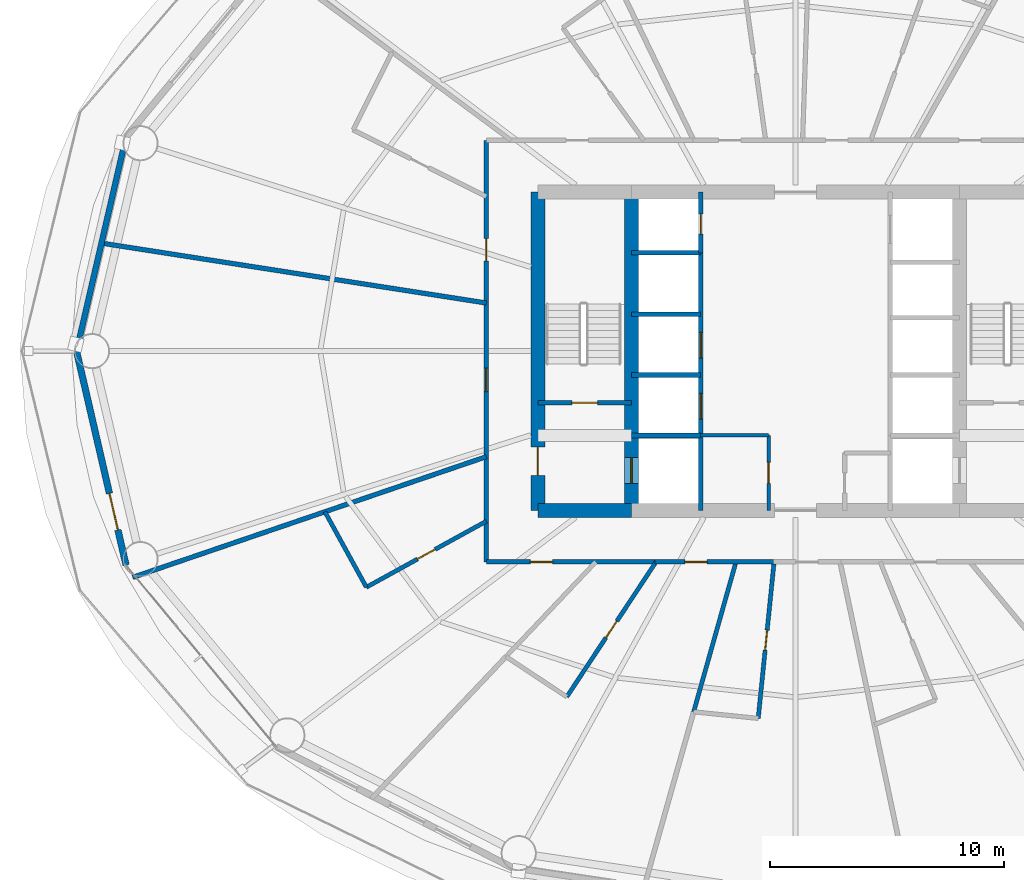
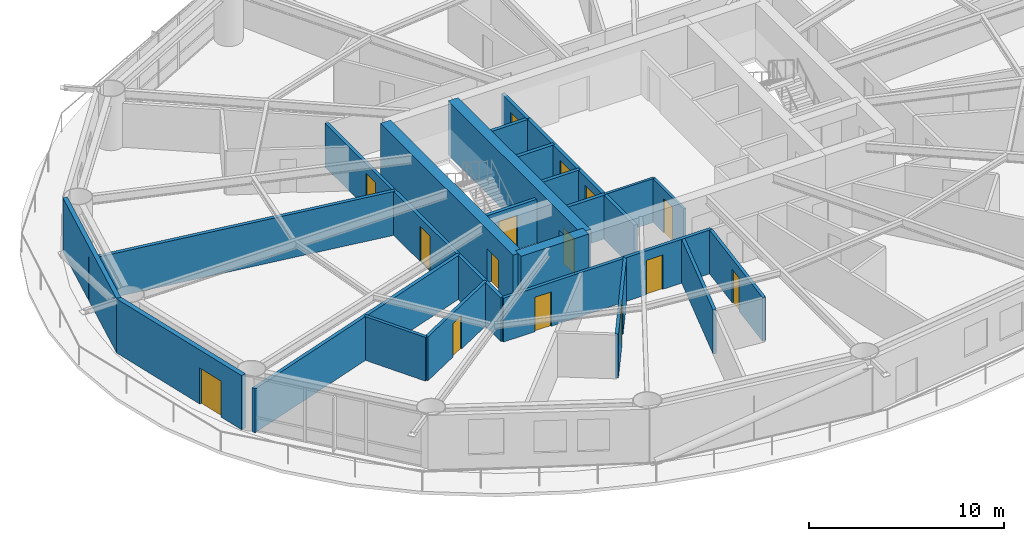
# One storey, part 22 of 28: 25 walls, 15 doors, 15 openings.
"""IFC4 building model written with IfcOpenShell, lengths in metres."""

import ifcopenshell
import ifcopenshell.guid

model = None  # the IFC model being written
_history = None  # IfcOwnerHistory: only IFC2X3 demands one
_inside = {}  # id of a spatial element -> (the spatial element, [elements in it])
_under = {}  # id of a project, library or spatial element -> (it, [spatial elements below it])
_declared = {}  # id of a project -> (the project, [libraries it declares])
_typed = {}  # id of a type object -> (the type object, [elements of that type])
_made_of = {}  # id of a material, layer set ... -> (it, [elements and type objects made of it])


def new_model(schema):
    """Start an empty IFC model of exactly this schema.

    Asked for "IFC4X3", IfcOpenShell would pick the latest addendum, in which some entities
    have other attributes; the version numbers below select the first issue.
    IFC2X3 requires an IfcOwnerHistory on every rooted entity: one is made here for all.
    """
    global model, _history
    if schema == "IFC4X3":
        model = ifcopenshell.file(schema_version=(4, 3, 0, 0))
    else:
        model = ifcopenshell.file(schema=schema)
    _inside.clear()
    _under.clear()
    _declared.clear()
    _typed.clear()
    _made_of.clear()
    _history = None
    if model.schema == "IFC2X3":
        org = make("IfcOrganization", Name="unknown")
        user = make(
            "IfcPersonAndOrganization",
            ThePerson=make("IfcPerson", FamilyName="unknown"),
            TheOrganization=org,
        )
        app = make(
            "IfcApplication",
            ApplicationDeveloper=org,
            Version="unknown",
            ApplicationFullName="unknown",
            ApplicationIdentifier="unknown",
        )
        _history = make(
            "IfcOwnerHistory",
            OwningUser=user,
            OwningApplication=app,
            ChangeAction="ADDED",
            CreationDate=0,
        )
    return model


def make(cls, **values):
    """One entity of the class cls with the attributes given. An attribute that is None is left unset."""
    return model.create_entity(
        cls, **{name: value for name, value in values.items() if value is not None}
    )


def rooted(cls, **values):
    """An entity with a GlobalId (a new one), such as an element, a storey or a relation."""
    return make(cls, GlobalId=ifcopenshell.guid.new(), OwnerHistory=_history, **values)


def si_unit(unit_type, name, prefix=None):
    """IfcSIUnit, for example si_unit("LENGTHUNIT", "METRE", prefix="MILLI")."""
    return make("IfcSIUnit", UnitType=unit_type, Prefix=prefix, Name=name)


def assignment(units):
    """IfcUnitAssignment: the units of a project."""
    return None if units is None else make("IfcUnitAssignment", Units=units)


def point(xyz):
    """IfcCartesianPoint."""
    return None if xyz is None else make("IfcCartesianPoint", Coordinates=xyz)


def direction(xyz):
    """IfcDirection."""
    return None if xyz is None else make("IfcDirection", DirectionRatios=xyz)


def frame(location, z_axis=None, x_axis=None):
    """IfcAxis2Placement3D, a coordinate frame: its origin and axes. An axis left out is left unset."""
    return make(
        "IfcAxis2Placement3D",
        Location=point(location),
        Axis=direction(z_axis),
        RefDirection=direction(x_axis),
    )


def frame_2d(location, x_axis=None):
    """IfcAxis2Placement2D, a coordinate frame in the plane: its origin and x axis."""
    return make(
        "IfcAxis2Placement2D", Location=point(location), RefDirection=direction(x_axis)
    )


def origin():
    """The frame at (0, 0, 0) with its axes left unset."""
    return frame((0.0, 0.0, 0.0))


def place(relative_to, where):
    """IfcLocalPlacement: puts the frame where relative to a parent placement (None: the world)."""
    return make(
        "IfcLocalPlacement", PlacementRelTo=relative_to, RelativePlacement=where
    )


def context(
    kind, dimensions, precision=None, world=None, true_north=None, identifier=None
):
    """IfcGeometricRepresentationContext, for example the 3D "Model" context."""
    return make(
        "IfcGeometricRepresentationContext",
        ContextIdentifier=identifier,
        ContextType=kind,
        CoordinateSpaceDimension=dimensions,
        Precision=precision,
        WorldCoordinateSystem=world,
        TrueNorth=true_north,
    )


def subcontext(parent, identifier, kind, view, scale=None):
    """IfcGeometricRepresentationSubContext, for example "Body" below "Model"."""
    return make(
        "IfcGeometricRepresentationSubContext",
        ContextIdentifier=identifier,
        ContextType=kind,
        ParentContext=parent,
        TargetScale=scale,
        TargetView=view,
    )


def project(units=None, contexts=None):
    """IfcProject with its units and contexts."""
    return rooted(
        "IfcProject",
        Name="project",
        RepresentationContexts=contexts,
        UnitsInContext=assignment(units),
    )


def spatial(cls, under=None, at=None, **own):
    """A site, building, storey or space (cls), placed at a placement, below another one or the project."""
    s = rooted(cls, ObjectPlacement=at, **own)
    if under is not None:
        _under.setdefault(under.id(), (under, []))[1].append(s)
    return s


def profile(cls, at=None, kind="AREA", **sizes):
    """A parametric profile (cls). Its sizes go by their IFC names, for example OverallWidth=200.0."""
    return make(cls, ProfileType=kind, Position=at, **sizes)


def rectangle(**sizes):
    """IfcRectangleProfileDef."""
    return profile("IfcRectangleProfileDef", **sizes)


def extrude(swept, where, along, depth):
    """IfcExtrudedAreaSolid: the profile swept, set in the frame where, extruded along a direction by depth."""
    return make(
        "IfcExtrudedAreaSolid",
        SweptArea=swept,
        Position=where,
        ExtrudedDirection=direction(along),
        Depth=depth,
    )


def shape(context_of_items, identifier, shape_type, items):
    """IfcShapeRepresentation: the items that make up one representation, for example the "Body"."""
    return make(
        "IfcShapeRepresentation",
        ContextOfItems=context_of_items,
        RepresentationIdentifier=identifier,
        RepresentationType=shape_type,
        Items=items,
    )


def material(Name=None, Category=None):
    """IfcMaterial."""
    return make("IfcMaterial", Name=Name, Category=Category)


def layer(
    of_material, thickness, ventilated=None, Name=None, Category=None, Priority=None
):
    """IfcMaterialLayer: one layer of a wall or slab, of a material (None: an air gap)."""
    return make(
        "IfcMaterialLayer",
        Material=of_material,
        LayerThickness=thickness,
        IsVentilated=ventilated,
        Name=Name,
        Category=Category,
        Priority=Priority,
    )


def layer_set(layers, Name=None):
    """IfcMaterialLayerSet."""
    return make("IfcMaterialLayerSet", MaterialLayers=layers, LayerSetName=Name)


def made_of(thing, what):
    """Note that an element or type object is made of a material, layer set ...; save() writes the relation."""
    if what is not None:
        _made_of.setdefault(what.id(), (what, []))[1].append(thing)
    return thing


def type_object(cls, material=None, **own):
    """A type object (cls), such as IfcWallType, which elements share."""
    return made_of(rooted(cls, **own), material)


def element(
    cls,
    number,
    at=None,
    inside=None,
    cuts=None,
    type_object=None,
    material=None,
    context=None,
    identifier="Body",
    shape_type=None,
    held_by="IfcProductDefinitionShape",
    body=None,
    shapes=None,
    **own,
):
    """One element of the class cls, such as IfcWall. Its Tag is "e" and its number.

    at: its placement. inside: the storey or other place that contains it. cuts: it is an
    opening in that element (IfcRelVoidsElement). A single representation is given by context,
    identifier, shape_type and body (its items); several are given by shapes. held_by: the class
    of the entity that holds the representations. save() writes the other relations.
    """
    e = rooted(cls, Tag="e%d" % number, ObjectPlacement=at, **own)
    if body is not None:
        shapes = [shape(context, identifier, shape_type, body)]
    if shapes is not None:
        e.Representation = make(held_by, Representations=shapes)
    if inside is not None:
        _inside.setdefault(inside.id(), (inside, []))[1].append(e)
    if cuts is not None:
        rooted(
            "IfcRelVoidsElement", RelatingBuildingElement=cuts, RelatedOpeningElement=e
        )
    if type_object is not None:
        _typed.setdefault(type_object.id(), (type_object, []))[1].append(e)
    return made_of(e, material)


def fill(opening, filler):
    """IfcRelFillsElement: the door or window that sits in an opening."""
    return rooted(
        "IfcRelFillsElement",
        RelatingOpeningElement=opening,
        RelatedBuildingElement=filler,
    )


def aggregate(whole, parts):
    """IfcRelAggregates: a whole, such as a stair, and the parts it consists of."""
    return rooted("IfcRelAggregates", RelatingObject=whole, RelatedObjects=parts)


def save(model, path):
    """Write the relations noted so far, then the file.

    IfcRelAggregates (storeys below a building ...), IfcRelContainedInSpatialStructure (elements
    in a storey), IfcRelDefinesByType, IfcRelAssociatesMaterial and IfcRelDeclares: one each for
    every whole, place, type object, material and project.
    """
    for whole, parts in _under.values():
        aggregate(whole, parts)
    for where, things in _inside.values():
        rooted(
            "IfcRelContainedInSpatialStructure",
            RelatedElements=things,
            RelatingStructure=where,
        )
    for kind, things in _typed.values():
        rooted("IfcRelDefinesByType", RelatedObjects=things, RelatingType=kind)
    for what, things in _made_of.values():
        rooted("IfcRelAssociatesMaterial", RelatedObjects=things, RelatingMaterial=what)
    for by, libraries in _declared.values():
        rooted("IfcRelDeclares", RelatingContext=by, RelatedDefinitions=libraries)
    model.write(path)


model = new_model("IFC4")

# Units and contexts
model_context = context("Model", 3, precision=1e-05, world=origin(), true_north=direction((0.0, 1.0)))
body_context = subcontext(model_context, "Body", "Model", "MODEL_VIEW")
ifc_project = project(units=[si_unit("LENGTHUNIT", "METRE"), si_unit("AREAUNIT", "SQUARE_METRE"), si_unit("VOLUMEUNIT", "CUBIC_METRE"), si_unit("PLANEANGLEUNIT", "RADIAN"), si_unit("MASSUNIT", "GRAM", prefix="KILO")], contexts=[model_context])

# Site, building, storey
site_placement = place(None, origin())
site = spatial("IfcSite", under=ifc_project, at=site_placement, CompositionType="ELEMENT")
building_placement = place(site_placement, origin())
building = spatial("IfcBuilding", under=site, at=building_placement, Name="Sarneth Arch Tower", CompositionType="ELEMENT")
storey_placement = place(building_placement, frame((0.0, 0.0, 31.800048828125)))
storey = spatial("IfcBuildingStorey", under=building, at=storey_placement, Name="L06", CompositionType="ELEMENT", Elevation=31.800048828125)

# Wall
ifc_material_1 = material(Name="Concrete C60/75", Category="concrete")
ifc_layer_1 = layer(ifc_material_1, 0.60009765625)
ifc_layer_set_1 = layer_set([ifc_layer_1], Name="Concrete C60/75")
wall_type_1 = type_object("IfcWallType", Name="WALL-CORE-600", PredefinedType="SHEAR", material=ifc_layer_set_1)
wall_1_placement = place(storey_placement, frame((37.0, 35.199951171875, 0.0), z_axis=(0.0, 0.0, 1.0), x_axis=(1.0, 0.0, 0.0)))
element("IfcWall", 1, at=wall_1_placement, inside=storey, type_object=wall_type_1, Name="L06 Core shear wall S-W", PredefinedType="SHEAR", context=body_context, shape_type="SweptSolid", body=[
    extrude(rectangle(XDim=4.0, YDim=0.60009765625, at=frame_2d((2.0, 0.0))), origin(), (0.0, 0.0, 1.0), 3.3798828125),
])

# Wall, opening, door
wall_2_placement = place(storey_placement, frame((37.0, 35.199951171875, 0.0), z_axis=(0.0, 0.0, 1.0), x_axis=(0.0, 1.0, 0.0)))
wall_2 = element("IfcWall", 2, at=wall_2_placement, inside=storey, type_object=wall_type_1, Name="L06 Core shear wall W", PredefinedType="SHEAR", context=body_context, shape_type="SweptSolid", body=[
    extrude(rectangle(XDim=13.60009765625, YDim=0.60009765625, at=frame_2d((6.800048828125, 0.0))), origin(), (0.0, 0.0, 1.0), 3.3798828125),
])
opening_1_placement = place(wall_2_placement, frame((1.5, 0.0, 0.0)))
opening_1 = element("IfcOpeningElement", 3, at=opening_1_placement, cuts=wall_2, Name="Opening FD-02", PredefinedType="OPENING", context=body_context, shape_type="SweptSolid", body=[
    extrude(rectangle(XDim=1.199951171875, YDim=2.14990234375, at=frame_2d((0.60009765625, 1.074951171875))), frame((0.0, 0.31005859375, 0.0), z_axis=(0.0, -1.0, 0.0), x_axis=(1.0, 0.0, 0.0)), (0.0, 0.0, 1.0), 0.6201171875),
])
ifc_material_2 = material(Name="Galvanised Steel S275 fire door set", Category="steel")
door_type_1 = type_object("IfcDoorType", Name="DR-FD90-1200", OperationType="SINGLE_SWING_LEFT", PredefinedType="DOOR", material=ifc_material_2)
door_1_placement = place(opening_1_placement, origin())
door_1 = element("IfcDoor", 4, at=door_1_placement, inside=storey, type_object=door_type_1, Name="L06 Firefighting lobby 1 exit door", OperationType="SINGLE_SWING_LEFT", OverallHeight=2.14990234375, OverallWidth=1.199951171875, PredefinedType="DOOR", context=body_context, shape_type="SweptSolid", body=[
    extrude(rectangle(XDim=1.199951171875, YDim=2.14990234375, at=frame_2d((0.60009765625, 1.074951171875))), frame((0.0, 0.02490234375, 0.0), z_axis=(0.0, -1.0, 0.0), x_axis=(1.0, 0.0, 0.0)), (0.0, 0.0, 1.0), 0.050048828125),
])
fill(opening_1, door_1)

wall_3_placement = place(storey_placement, frame((41.0, 35.199951171875, 0.0), z_axis=(0.0, 0.0, 1.0), x_axis=(0.0, 1.0, 0.0)))
wall_3 = element("IfcWall", 5, at=wall_3_placement, inside=storey, type_object=wall_type_1, Name="L06 Core shear wall WEB-W", PredefinedType="SHEAR", context=body_context, shape_type="SweptSolid", body=[
    extrude(rectangle(XDim=13.60009765625, YDim=0.60009765625, at=frame_2d((6.800048828125, 0.0))), origin(), (0.0, 0.0, 1.0), 3.3798828125),
])
opening_2_placement = place(wall_3_placement, frame((1.14990234375, 0.0, 0.0)))
opening_2 = element("IfcOpeningElement", 6, at=opening_2_placement, cuts=wall_3, Name="Opening LD-1", PredefinedType="OPENING", context=body_context, shape_type="SweptSolid", body=[
    extrude(rectangle(XDim=1.10009765625, YDim=2.199951171875, at=frame_2d((0.550048828125, 1.10009765625))), frame((0.0, 0.31005859375, 0.0), z_axis=(0.0, -1.0, 0.0), x_axis=(1.0, 0.0, 0.0)), (0.0, 0.0, 1.0), 0.6201171875),
])
ifc_material_3 = material(Name="Brushed Stainless Steel 304 lift landing door", Category="steel")
door_type_2 = type_object("IfcDoorType", Name="DR-LIFT-SLIDE-1100", OperationType="SLIDING_TO_LEFT", PredefinedType="DOOR", material=ifc_material_3)
door_2_placement = place(opening_2_placement, origin())
door_2 = element("IfcDoor", 7, at=door_2_placement, inside=storey, type_object=door_type_2, Name="L06 Firefighting lift landing door FL-1", OperationType="SLIDING_TO_LEFT", OverallHeight=2.199951171875, OverallWidth=1.10009765625, PredefinedType="DOOR", context=body_context, shape_type="SweptSolid", body=[
    extrude(rectangle(XDim=1.10009765625, YDim=2.199951171875, at=frame_2d((0.550048828125, 1.10009765625))), frame((0.0, 0.02490234375, 0.0), z_axis=(0.0, -1.0, 0.0), x_axis=(1.0, 0.0, 0.0)), (0.0, 0.0, 1.0), 0.050048828125),
])
fill(opening_2, door_2)

# Wall, openings, doors
ifc_material_4 = material(Name="Double steel-stud corridor fire wall", Category="steel")
ifc_layer_2 = layer(ifc_material_4, 0.18994140625)
ifc_layer_set_2 = layer_set([ifc_layer_2], Name="Double steel-stud corridor fire wall")
wall_type_2 = type_object("IfcWallType", Name="WALL-CORR-190", PredefinedType="PARTITIONING", material=ifc_layer_set_2)
wall_4_placement = place(storey_placement, frame((34.800048828125, 33.0, 0.0), z_axis=(0.0, 0.0, 1.0), x_axis=(0.0, 1.0, 0.0)))
wall_4 = element("IfcWall", 8, at=wall_4_placement, inside=storey, type_object=wall_type_2, Name="L06 Interior partition W-L06-TP-014", PredefinedType="PARTITIONING", context=body_context, shape_type="SweptSolid", body=[
    extrude(rectangle(XDim=18.0, YDim=0.18994140625, at=frame_2d((9.0, 0.0))), origin(), (0.0, 0.0, 1.0), 2.739990234375),
])
opening_3_placement = place(wall_4_placement, frame((7.273681640625, 0.0, 0.0)))
opening_3 = element("IfcOpeningElement", 9, at=opening_3_placement, cuts=wall_4, Name="Opening FD-08", PredefinedType="OPENING", context=body_context, shape_type="SweptSolid", body=[
    extrude(rectangle(XDim=1.0, YDim=2.199951171875, at=frame_2d((0.5, 1.10009765625))), frame((0.0, 0.10498046875, 0.0), z_axis=(0.0, -1.0, 0.0), x_axis=(1.0, 0.0, 0.0)), (0.0, 0.0, 1.0), 0.2099609375),
])
opening_4_placement = place(wall_4_placement, frame((12.8544921875, 0.0, 0.0)))
opening_4 = element("IfcOpeningElement", 10, at=opening_4_placement, cuts=wall_4, Name="Opening FD-09", PredefinedType="OPENING", context=body_context, shape_type="SweptSolid", body=[
    extrude(rectangle(XDim=0.949951171875, YDim=2.14990234375, at=frame_2d((0.47509765625, 1.074951171875))), frame((0.0, 0.10498046875, 0.0), z_axis=(0.0, -1.0, 0.0), x_axis=(1.0, 0.0, 0.0)), (0.0, 0.0, 1.0), 0.2099609375),
])
ifc_material_5 = material(Name="Hardwood timber acoustic fire door", Category="wood")
door_type_3 = type_object("IfcDoorType", Name="DR-FD60-1000", OperationType="SINGLE_SWING_LEFT", PredefinedType="DOOR", material=ifc_material_5)
door_3_placement = place(opening_3_placement, origin())
door_3 = element("IfcDoor", 11, at=door_3_placement, inside=storey, type_object=door_type_3, Name="L06 Interior door DR-L06-AMN-07", OperationType="SINGLE_SWING_RIGHT", OverallHeight=2.199951171875, OverallWidth=1.0, PredefinedType="DOOR", context=body_context, shape_type="SweptSolid", body=[
    extrude(rectangle(XDim=1.0, YDim=2.199951171875, at=frame_2d((0.5, 1.10009765625))), frame((0.0, 0.02490234375, 0.0), z_axis=(0.0, -1.0, 0.0), x_axis=(1.0, 0.0, 0.0)), (0.0, 0.0, 1.0), 0.050048828125),
])
fill(opening_3, door_3)
ifc_material_6 = material(Name="Hardwood timber hotel entrance fire door", Category="wood")
door_type_4 = type_object("IfcDoorType", Name="DR-FD60-950", OperationType="SINGLE_SWING_RIGHT", PredefinedType="DOOR", material=ifc_material_6)
door_4_placement = place(opening_4_placement, origin())
door_4 = element("IfcDoor", 12, at=door_4_placement, inside=storey, type_object=door_type_4, Name="L06 Interior door DR-L06-KEY-06", OperationType="SINGLE_SWING_LEFT", OverallHeight=2.14990234375, OverallWidth=0.949951171875, PredefinedType="DOOR", context=body_context, shape_type="SweptSolid", body=[
    extrude(rectangle(XDim=0.949951171875, YDim=2.14990234375, at=frame_2d((0.47509765625, 1.074951171875))), frame((0.0, 0.02490234375, 0.0), z_axis=(0.0, -1.0, 0.0), x_axis=(1.0, 0.0, 0.0)), (0.0, 0.0, 1.0), 0.050048828125),
])
fill(opening_4, door_4)

# Wall, opening, door
wall_5_placement = place(storey_placement, frame((42.083251953125, 33.0, 0.0), z_axis=(0.0, 0.0, 1.0), x_axis=(-1.0, 0.0, 0.0)))
wall_5 = element("IfcWall", 13, at=wall_5_placement, inside=storey, type_object=wall_type_2, Name="L06 Interior partition W-L06-TP-015", PredefinedType="PARTITIONING", context=body_context, shape_type="SweptSolid", body=[
    extrude(rectangle(XDim=7.283203125, YDim=0.18994140625, at=frame_2d((3.6416015625, 0.0))), origin(), (0.0, 0.0, 1.0), 2.739990234375),
])
opening_5_placement = place(wall_5_placement, frame((4.45068359375, 0.0, 0.0)))
opening_5 = element("IfcOpeningElement", 14, at=opening_5_placement, cuts=wall_5, Name="Opening FD-09", PredefinedType="OPENING", context=body_context, shape_type="SweptSolid", body=[
    extrude(rectangle(XDim=0.949951171875, YDim=2.14990234375, at=frame_2d((0.47509765625, 1.074951171875))), frame((0.0, 0.10498046875, 0.0), z_axis=(0.0, -1.0, 0.0), x_axis=(1.0, 0.0, 0.0)), (0.0, 0.0, 1.0), 0.2099609375),
])
door_5_placement = place(opening_5_placement, origin())
door_5 = element("IfcDoor", 15, at=door_5_placement, inside=storey, type_object=door_type_4, Name="L06 Interior door DR-L06-KEY-08", OperationType="SINGLE_SWING_LEFT", OverallHeight=2.14990234375, OverallWidth=0.949951171875, PredefinedType="DOOR", context=body_context, shape_type="SweptSolid", body=[
    extrude(rectangle(XDim=0.949951171875, YDim=2.14990234375, at=frame_2d((0.47509765625, 1.074951171875))), frame((0.0, 0.02490234375, 0.0), z_axis=(0.0, -1.0, 0.0), x_axis=(1.0, 0.0, 0.0)), (0.0, 0.0, 1.0), 0.050048828125),
])
fill(opening_5, door_5)

wall_6_placement = place(storey_placement, frame((47.117919921875, 33.0, 0.0), z_axis=(0.0, 0.0, 1.0), x_axis=(-1.0, 0.0, 0.0)))
wall_6 = element("IfcWall", 16, at=wall_6_placement, inside=storey, type_object=wall_type_2, Name="L06 Interior partition W-L06-TP-018", PredefinedType="PARTITIONING", context=body_context, shape_type="SweptSolid", body=[
    extrude(rectangle(XDim=5.111572265625, YDim=0.18994140625, at=frame_2d((2.5556640625, 0.0))), origin(), (0.0, 0.0, 1.0), 2.739990234375),
])
opening_6_placement = place(wall_6_placement, frame((2.893798828125, 0.0, 0.0)))
opening_6 = element("IfcOpeningElement", 17, at=opening_6_placement, cuts=wall_6, Name="Opening FD-09", PredefinedType="OPENING", context=body_context, shape_type="SweptSolid", body=[
    extrude(rectangle(XDim=0.949951171875, YDim=2.14990234375, at=frame_2d((0.47509765625, 1.074951171875))), frame((0.0, 0.10498046875, 0.0), z_axis=(0.0, -1.0, 0.0), x_axis=(1.0, 0.0, 0.0)), (0.0, 0.0, 1.0), 0.2099609375),
])
door_6_placement = place(opening_6_placement, origin())
door_6 = element("IfcDoor", 18, at=door_6_placement, inside=storey, type_object=door_type_4, Name="L06 Interior door DR-L06-KEY-09", OperationType="SINGLE_SWING_RIGHT", OverallHeight=2.14990234375, OverallWidth=0.949951171875, PredefinedType="DOOR", context=body_context, shape_type="SweptSolid", body=[
    extrude(rectangle(XDim=0.949951171875, YDim=2.14990234375, at=frame_2d((0.47509765625, 1.074951171875))), frame((0.0, 0.02490234375, 0.0), z_axis=(0.0, -1.0, 0.0), x_axis=(1.0, 0.0, 0.0)), (0.0, 0.0, 1.0), 0.050048828125),
])
fill(opening_6, door_6)

# Wall
ifc_material_7 = material(Name="Extruded terracotta rainscreen on Concrete C40/50 backing", Category="masonry")
ifc_layer_3 = layer(ifc_material_7, 0.25)
ifc_layer_set_3 = layer_set([ifc_layer_3], Name="Extruded terracotta rainscreen on Concrete C40/50 backing")
wall_type_3 = type_object("IfcWallType", Name="WALL-EXT-SPAND-250", PredefinedType="SOLIDWALL", material=ifc_layer_set_3)
wall_7_placement = place(storey_placement, frame((19.4189453125, 51.138427734375, 0.0), z_axis=(0.0, 0.0, 1.0), x_axis=(-0.225454452941, -0.974253709076, 0.0)))
element("IfcWall", 19, at=wall_7_placement, inside=storey, type_object=wall_type_3, Name="L06 Terracotta perimeter wall 08", PredefinedType="SOLIDWALL", context=body_context, shape_type="SweptSolid", body=[
    extrude(rectangle(XDim=9.3798828125, YDim=0.25, at=frame_2d((4.68994140625, 0.0))), origin(), (0.0, 0.0, 1.0), 3.3798828125),
])

# Wall, opening, door
ifc_material_8 = material(Name="Extruded terracotta rainscreen on Concrete C40/50 backing", Category="masonry")
ifc_layer_4 = layer(ifc_material_8, 0.280029296875)
ifc_layer_set_4 = layer_set([ifc_layer_4], Name="Extruded terracotta rainscreen on Concrete C40/50 backing")
wall_type_4 = type_object("IfcWallType", Name="WALL-EXT-TERRA-280", PredefinedType="SOLIDWALL", material=ifc_layer_set_4)
wall_8_placement = place(storey_placement, frame((17.30419921875, 42.0, 0.0), z_axis=(0.0, 0.0, 1.0), x_axis=(0.225454452941, -0.974253709076, 0.0)))
wall_8 = element("IfcWall", 20, at=wall_8_placement, inside=storey, type_object=wall_type_4, Name="L06 Terracotta perimeter wall 09", PredefinedType="SOLIDWALL", context=body_context, shape_type="SweptSolid", body=[
    extrude(rectangle(XDim=9.3798828125, YDim=0.280029296875, at=frame_2d((4.68994140625, 0.0))), origin(), (0.0, 0.0, 1.0), 3.3798828125),
])
opening_7_placement = place(wall_8_placement, frame((6.235107421875, 0.0, 0.0)))
opening_7 = element("IfcOpeningElement", 21, at=opening_7_placement, cuts=wall_8, Name="Opening BD-1", PredefinedType="OPENING", context=body_context, shape_type="SweptSolid", body=[
    extrude(rectangle(XDim=1.60009765625, YDim=2.25, at=frame_2d((0.800048828125, 1.125))), frame((0.0, 0.14990234375, 0.0), z_axis=(0.0, -1.0, 0.0), x_axis=(1.0, 0.0, 0.0)), (0.0, 0.0, 1.0), 0.300048828125),
])
ifc_material_9 = material(Name="Thermally broken Aluminium 6063-T6 and laminated safety glass", Category="aluminium")
door_type_5 = type_object("IfcDoorType", Name="DR-BALC-GLZ-1600", OperationType="DOUBLE_DOOR_SINGLE_SWING", PredefinedType="DOOR", material=ifc_material_9)
door_7_placement = place(opening_7_placement, origin())
door_7 = element("IfcDoor", 22, at=door_7_placement, inside=storey, type_object=door_type_5, Name="L06 Balcony glazed door 09", OperationType="DOUBLE_DOOR_SINGLE_SWING", OverallHeight=2.25, OverallWidth=1.60009765625, PredefinedType="DOOR", context=body_context, shape_type="SweptSolid", body=[
    extrude(rectangle(XDim=1.60009765625, YDim=2.25, at=frame_2d((0.800048828125, 1.125))), frame((0.0, 0.02490234375, 0.0), z_axis=(0.0, -1.0, 0.0), x_axis=(1.0, 0.0, 0.0)), (0.0, 0.0, 1.0), 0.050048828125),
])
fill(opening_7, door_7)

# Wall
ifc_material_10 = material(Name="Acoustic gypsum stud partition", Category="gypsum")
ifc_layer_5 = layer(ifc_material_10, 0.14990234375)
ifc_layer_set_5 = layer_set([ifc_layer_5], Name="Acoustic gypsum stud partition")
wall_type_5 = type_object("IfcWallType", Name="WALL-PART-150", PredefinedType="PARTITIONING", material=ifc_layer_set_5)
wall_9_placement = place(storey_placement, frame((43.949951171875, 38.39990234375, 0.0), z_axis=(0.0, 0.0, 1.0), x_axis=(1.0, 0.0, 0.0)))
element("IfcWall", 23, at=wall_9_placement, inside=storey, type_object=wall_type_5, Name="L06 Interior partition W-L06-CSUP1-N", PredefinedType="PARTITIONING", context=body_context, shape_type="SweptSolid", body=[
    extrude(rectangle(XDim=2.900146484375, YDim=0.14990234375, at=frame_2d((1.4501953125, 0.0))), origin(), (0.0, 0.0, 1.0), 2.739990234375),
])

# Wall, opening, door
wall_10_placement = place(storey_placement, frame((46.85009765625, 35.199951171875, 0.0), z_axis=(0.0, 0.0, 1.0), x_axis=(0.0, 1.0, 0.0)))
wall_10 = element("IfcWall", 24, at=wall_10_placement, inside=storey, type_object=wall_type_5, Name="L06 Interior partition W-L06-CSUP1-E", PredefinedType="PARTITIONING", context=body_context, shape_type="SweptSolid", body=[
    extrude(rectangle(XDim=3.199951171875, YDim=0.14990234375, at=frame_2d((1.60009765625, 0.0))), origin(), (0.0, 0.0, 1.0), 2.739990234375),
])
opening_8_placement = place(wall_10_placement, frame((1.14990234375, 0.0, 0.0)))
opening_8 = element("IfcOpeningElement", 25, at=opening_8_placement, cuts=wall_10, Name="Opening FD-10", PredefinedType="OPENING", context=body_context, shape_type="SweptSolid", body=[
    extrude(rectangle(XDim=0.89990234375, YDim=2.14990234375, at=frame_2d((0.449951171875, 1.074951171875))), frame((0.0, 0.0849609375, 0.0), z_axis=(0.0, -1.0, 0.0), x_axis=(1.0, 0.0, 0.0)), (0.0, 0.0, 1.0), 0.169921875),
])
ifc_material_11 = material(Name="Galvanised Steel S275 riser/service fire door", Category="steel")
door_type_6 = type_object("IfcDoorType", Name="DR-FD60-900", OperationType="SINGLE_SWING_LEFT", PredefinedType="DOOR", material=ifc_material_11)
door_8_placement = place(opening_8_placement, origin())
door_8 = element("IfcDoor", 26, at=door_8_placement, inside=storey, type_object=door_type_6, Name="L06 Interior door DR-L06-CSUP1", OperationType="SINGLE_SWING_LEFT", OverallHeight=2.14990234375, OverallWidth=0.89990234375, PredefinedType="DOOR", context=body_context, shape_type="SweptSolid", body=[
    extrude(rectangle(XDim=0.89990234375, YDim=2.14990234375, at=frame_2d((0.449951171875, 1.074951171875))), frame((0.0, 0.02490234375, 0.0), z_axis=(0.0, -1.0, 0.0), x_axis=(1.0, 0.0, 0.0)), (0.0, 0.0, 1.0), 0.050048828125),
])
fill(opening_8, door_8)

ifc_material_12 = material(Name="Moisture-resistant plumbing chase wall", Category="gypsum")
ifc_layer_6 = layer(ifc_material_12, 0.179931640625)
ifc_layer_set_6 = layer_set([ifc_layer_6], Name="Moisture-resistant plumbing chase wall")
wall_type_6 = type_object("IfcWallType", Name="WALL-PLUMB-180", PredefinedType="PLUMBINGWALL", material=ifc_layer_set_6)
wall_11_placement = place(storey_placement, frame((42.044921875, 33.0, 0.0), z_axis=(0.0, 0.0, 1.0), x_axis=(-0.551832909025, -0.833954699319, 0.0)))
wall_11 = element("IfcWall", 27, at=wall_11_placement, inside=storey, type_object=wall_type_6, Name="L06 Interior partition W-L06-TP-057", PredefinedType="PLUMBINGWALL", context=body_context, shape_type="SweptSolid", body=[
    extrude(rectangle(XDim=6.90478515625, YDim=0.179931640625, at=frame_2d((3.452392578125, 0.0))), origin(), (0.0, 0.0, 1.0), 2.739990234375),
])
opening_9_placement = place(wall_11_placement, frame((3.02734375, 0.0, 0.0)))
opening_9 = element("IfcOpeningElement", 28, at=opening_9_placement, cuts=wall_11, Name="Opening ID-02", PredefinedType="OPENING", context=body_context, shape_type="SweptSolid", body=[
    extrude(rectangle(XDim=0.85009765625, YDim=2.10009765625, at=frame_2d((0.425048828125, 1.050048828125))), frame((0.0, 0.099853515625, 0.0), z_axis=(0.0, -1.0, 0.0), x_axis=(1.0, 0.0, 0.0)), (0.0, 0.0, 1.0), 0.199951171875),
])
ifc_material_13 = material(Name="Moisture-resistant bathroom timber door", Category="wood")
door_type_7 = type_object("IfcDoorType", Name="DR-INT-850", OperationType="SINGLE_SWING_RIGHT", PredefinedType="DOOR", material=ifc_material_13)
door_9_placement = place(opening_9_placement, origin())
door_9 = element("IfcDoor", 29, at=door_9_placement, inside=storey, type_object=door_type_7, Name="L06 Interior door DR-L06-ENS-09", OperationType="SINGLE_SWING_LEFT", OverallHeight=2.10009765625, OverallWidth=0.85009765625, PredefinedType="DOOR", context=body_context, shape_type="SweptSolid", body=[
    extrude(rectangle(XDim=0.85009765625, YDim=2.10009765625, at=frame_2d((0.425048828125, 1.050048828125))), frame((0.0, 0.02490234375, 0.0), z_axis=(0.0, -1.0, 0.0), x_axis=(1.0, 0.0, 0.0)), (0.0, 0.0, 1.0), 0.050048828125),
])
fill(opening_9, door_9)

wall_12_placement = place(storey_placement, frame((47.085693359375, 33.0, 0.0), z_axis=(0.0, 0.0, 1.0), x_axis=(-0.101019373019, -0.994884458756, 0.0)))
wall_12 = element("IfcWall", 30, at=wall_12_placement, inside=storey, type_object=wall_type_6, Name="L06 Interior partition W-L06-TP-061", PredefinedType="PLUMBINGWALL", context=body_context, shape_type="SweptSolid", body=[
    extrude(rectangle(XDim=6.7138671875, YDim=0.179931640625, at=frame_2d((3.35693359375, 0.0))), origin(), (0.0, 0.0, 1.0), 2.739990234375),
])
opening_10_placement = place(wall_12_placement, frame((2.931884765625, 0.0, 0.0)))
opening_10 = element("IfcOpeningElement", 31, at=opening_10_placement, cuts=wall_12, Name="Opening ID-02", PredefinedType="OPENING", context=body_context, shape_type="SweptSolid", body=[
    extrude(rectangle(XDim=0.85009765625, YDim=2.10009765625, at=frame_2d((0.425048828125, 1.050048828125))), frame((0.0, 0.099853515625, 0.0), z_axis=(0.0, -1.0, 0.0), x_axis=(1.0, 0.0, 0.0)), (0.0, 0.0, 1.0), 0.199951171875),
])
door_10_placement = place(opening_10_placement, origin())
door_10 = element("IfcDoor", 32, at=door_10_placement, inside=storey, type_object=door_type_7, Name="L06 Interior door DR-L06-ENS-10", OperationType="SINGLE_SWING_LEFT", OverallHeight=2.10009765625, OverallWidth=0.85009765625, PredefinedType="DOOR", context=body_context, shape_type="SweptSolid", body=[
    extrude(rectangle(XDim=0.85009765625, YDim=2.10009765625, at=frame_2d((0.425048828125, 1.050048828125))), frame((0.0, 0.02490234375, 0.0), z_axis=(0.0, -1.0, 0.0), x_axis=(1.0, 0.0, 0.0)), (0.0, 0.0, 1.0), 0.050048828125),
])
fill(opening_10, door_10)

# Wall
wall_13_placement = place(storey_placement, frame((43.6513671875, 26.6005859375, 0.0), z_axis=(0.0, 0.0, 1.0), x_axis=(0.271761873698, 0.962364527611, 0.0)))
element("IfcWall", 33, at=wall_13_placement, inside=storey, type_object=wall_type_6, Name="L06 Interior partition W-L06-TP-060", PredefinedType="PLUMBINGWALL", context=body_context, shape_type="SweptSolid", body=[
    extrude(rectangle(XDim=6.649658203125, YDim=0.179931640625, at=frame_2d((3.32470703125, 0.0))), origin(), (0.0, 0.0, 1.0), 2.739990234375),
])

# Wall, opening, door
wall_14_placement = place(storey_placement, frame((29.67919921875, 31.921630859375, 0.0), z_axis=(0.0, 0.0, 1.0), x_axis=(0.876185038284, 0.481974873503, 0.0)))
wall_14 = element("IfcWall", 34, at=wall_14_placement, inside=storey, type_object=wall_type_6, Name="L06 Interior partition W-L06-TP-054", PredefinedType="PLUMBINGWALL", context=body_context, shape_type="SweptSolid", body=[
    extrude(rectangle(XDim=5.844482421875, YDim=0.179931640625, at=frame_2d((2.92236328125, 0.0))), origin(), (0.0, 0.0, 1.0), 2.739990234375),
])
opening_11_placement = place(wall_14_placement, frame((2.497314453125, 0.0, 0.0)))
opening_11 = element("IfcOpeningElement", 35, at=opening_11_placement, cuts=wall_14, Name="Opening ID-02", PredefinedType="OPENING", context=body_context, shape_type="SweptSolid", body=[
    extrude(rectangle(XDim=0.85009765625, YDim=2.10009765625, at=frame_2d((0.425048828125, 1.050048828125))), frame((0.0, 0.099853515625, 0.0), z_axis=(0.0, -1.0, 0.0), x_axis=(1.0, 0.0, 0.0)), (0.0, 0.0, 1.0), 0.199951171875),
])
door_11_placement = place(opening_11_placement, origin())
door_11 = element("IfcDoor", 36, at=door_11_placement, inside=storey, type_object=door_type_7, Name="L06 Interior door DR-L06-ENS-08", OperationType="SINGLE_SWING_LEFT", OverallHeight=2.10009765625, OverallWidth=0.85009765625, PredefinedType="DOOR", context=body_context, shape_type="SweptSolid", body=[
    extrude(rectangle(XDim=0.85009765625, YDim=2.10009765625, at=frame_2d((0.425048828125, 1.050048828125))), frame((0.0, 0.02490234375, 0.0), z_axis=(0.0, -1.0, 0.0), x_axis=(1.0, 0.0, 0.0)), (0.0, 0.0, 1.0), 0.050048828125),
])
fill(opening_11, door_11)

# Wall
wall_15_placement = place(storey_placement, frame((27.90771484375, 35.14208984375, 0.0), z_axis=(0.0, 0.0, 1.0), x_axis=(0.481967195945, -0.876189261537, 0.0)))
element("IfcWall", 37, at=wall_15_placement, inside=storey, type_object=wall_type_6, Name="L06 Interior partition W-L06-TP-053", PredefinedType="PLUMBINGWALL", context=body_context, shape_type="SweptSolid", body=[
    extrude(rectangle(XDim=3.675537109375, YDim=0.179931640625, at=frame_2d((1.837890625, 0.0))), origin(), (0.0, 0.0, 1.0), 2.739990234375),
])

# Wall, opening, door
ifc_material_14 = material(Name="Aerated concrete blockwork C25/30", Category="masonry")
ifc_layer_7 = layer(ifc_material_14, 0.199951171875)
ifc_layer_set_7 = layer_set([ifc_layer_7], Name="Aerated concrete blockwork C25/30")
wall_type_7 = type_object("IfcWallType", Name="WALL-SHAFT-200", PredefinedType="SOLIDWALL", material=ifc_layer_set_7)
wall_16_placement = place(storey_placement, frame((37.0, 39.800048828125, 0.0), z_axis=(0.0, 0.0, 1.0), x_axis=(1.0, 0.0, 0.0)))
wall_16 = element("IfcWall", 38, at=wall_16_placement, inside=storey, type_object=wall_type_7, Name="L06 Interior partition W-L06-ST1-S", PredefinedType="SOLIDWALL", context=body_context, shape_type="SweptSolid", body=[
    extrude(rectangle(XDim=4.0, YDim=0.199951171875, at=frame_2d((2.0, 0.0))), origin(), (0.0, 0.0, 1.0), 2.739990234375),
])
opening_12_placement = place(wall_16_placement, frame((1.449951171875, 0.0, 0.0)))
opening_12 = element("IfcOpeningElement", 39, at=opening_12_placement, cuts=wall_16, Name="Opening FD-03", PredefinedType="OPENING", context=body_context, shape_type="SweptSolid", body=[
    extrude(rectangle(XDim=1.10009765625, YDim=2.14990234375, at=frame_2d((0.550048828125, 1.074951171875))), frame((0.0, 0.10986328125, 0.0), z_axis=(0.0, -1.0, 0.0), x_axis=(1.0, 0.0, 0.0)), (0.0, 0.0, 1.0), 0.219970703125),
])
ifc_material_15 = material(Name="Galvanised Steel S275 fire door set", Category="steel")
door_type_8 = type_object("IfcDoorType", Name="DR-FD90-1100", OperationType="SINGLE_SWING_LEFT", PredefinedType="DOOR", material=ifc_material_15)
door_12_placement = place(opening_12_placement, origin())
door_12 = element("IfcDoor", 40, at=door_12_placement, inside=storey, type_object=door_type_8, Name="L06 Interior door DR-L06-ST1", OperationType="SINGLE_SWING_LEFT", OverallHeight=2.14990234375, OverallWidth=1.10009765625, PredefinedType="DOOR", context=body_context, shape_type="SweptSolid", body=[
    extrude(rectangle(XDim=1.10009765625, YDim=2.14990234375, at=frame_2d((0.550048828125, 1.074951171875))), frame((0.0, 0.02490234375, 0.0), z_axis=(0.0, -1.0, 0.0), x_axis=(1.0, 0.0, 0.0)), (0.0, 0.0, 1.0), 0.050048828125),
])
fill(opening_12, door_12)

# Walls
wall_17_placement = place(storey_placement, frame((43.949951171875, 35.199951171875, 0.0), z_axis=(0.0, 0.0, 1.0), x_axis=(0.0, 1.0, 0.0)))
element("IfcWall", 41, at=wall_17_placement, inside=storey, type_object=wall_type_7, Name="L06 Interior partition W-L06-FL1-E", PredefinedType="SOLIDWALL", context=body_context, shape_type="SweptSolid", body=[
    extrude(rectangle(XDim=3.199951171875, YDim=0.199951171875, at=frame_2d((1.60009765625, 0.0))), origin(), (0.0, 0.0, 1.0), 2.739990234375),
])
for number, where, z_axis, x_axis, name in (
    (42, (41.0, 38.39990234375, 0.0), (0.0, 0.0, 1.0), (1.0, 0.0, 0.0), "L06 Interior partition W-L06-FL1-N"),
    (43, (41.0, 46.199951171875, 0.0), (0.0, 0.0, 1.0), (1.0, 0.0, 0.0), "L06 Interior partition W-L06-RISER-S"),
):
    element("IfcWall", number, at=place(storey_placement, frame(where, z_axis=z_axis, x_axis=x_axis)), inside=storey, type_object=wall_type_7, Name=name, PredefinedType="SOLIDWALL", context=body_context, shape_type="SweptSolid", body=[
        extrude(rectangle(XDim=2.949951171875, YDim=0.199951171875, at=frame_2d((1.47509765625, 0.0))), origin(), (0.0, 0.0, 1.0), 2.739990234375),
    ])

# Wall, opening, door
wall_18_placement = place(storey_placement, frame((43.949951171875, 46.199951171875, 0.0), z_axis=(0.0, 0.0, 1.0), x_axis=(0.0, 1.0, 0.0)))
wall_18 = element("IfcWall", 44, at=wall_18_placement, inside=storey, type_object=wall_type_7, Name="L06 Interior partition W-L06-RISER-E", PredefinedType="SOLIDWALL", context=body_context, shape_type="SweptSolid", body=[
    extrude(rectangle(XDim=2.60009765625, YDim=0.199951171875, at=frame_2d((1.300048828125, 0.0))), origin(), (0.0, 0.0, 1.0), 2.739990234375),
])
opening_13_placement = place(wall_18_placement, frame((0.800048828125, 0.0, 0.0)))
opening_13 = element("IfcOpeningElement", 45, at=opening_13_placement, cuts=wall_18, Name="Opening FD-11", PredefinedType="OPENING", context=body_context, shape_type="SweptSolid", body=[
    extrude(rectangle(XDim=0.85009765625, YDim=2.14990234375, at=frame_2d((0.425048828125, 1.074951171875))), frame((0.0, 0.10986328125, 0.0), z_axis=(0.0, -1.0, 0.0), x_axis=(1.0, 0.0, 0.0)), (0.0, 0.0, 1.0), 0.219970703125),
])
ifc_material_16 = material(Name="Galvanised Steel S275 closet fire door", Category="steel")
door_type_9 = type_object("IfcDoorType", Name="DR-FD60-850", OperationType="SINGLE_SWING_LEFT", PredefinedType="DOOR", material=ifc_material_16)
door_13_placement = place(opening_13_placement, origin())
door_13 = element("IfcDoor", 46, at=door_13_placement, inside=storey, type_object=door_type_9, Name="L06 Lift landing door DR-L06-RISER", OperationType="SINGLE_SWING_LEFT", OverallHeight=2.14990234375, OverallWidth=0.85009765625, PredefinedType="DOOR", context=body_context, shape_type="SweptSolid", body=[
    extrude(rectangle(XDim=0.85009765625, YDim=2.14990234375, at=frame_2d((0.425048828125, 1.074951171875))), frame((0.0, 0.02490234375, 0.0), z_axis=(0.0, -1.0, 0.0), x_axis=(1.0, 0.0, 0.0)), (0.0, 0.0, 1.0), 0.050048828125),
])
fill(opening_13, door_13)

# Wall, openings, doors
wall_19_placement = place(storey_placement, frame((43.949951171875, 38.39990234375, 0.0), z_axis=(0.0, 0.0, 1.0), x_axis=(0.0, 1.0, 0.0)))
wall_19 = element("IfcWall", 47, at=wall_19_placement, inside=storey, type_object=wall_type_7, Name="L06 Interior partition W-L06-WESTBANK-FRONT", PredefinedType="SOLIDWALL", context=body_context, shape_type="SweptSolid", body=[
    extrude(rectangle(XDim=7.800048828125, YDim=0.199951171875, at=frame_2d((3.89990234375, 0.0))), origin(), (0.0, 0.0, 1.0), 2.739990234375),
])
opening_14_placement = place(wall_19_placement, frame((0.699951171875, 0.0, 0.0)))
opening_14 = element("IfcOpeningElement", 48, at=opening_14_placement, cuts=wall_19, Name="Opening LD-1", PredefinedType="OPENING", context=body_context, shape_type="SweptSolid", body=[
    extrude(rectangle(XDim=1.10009765625, YDim=2.199951171875, at=frame_2d((0.550048828125, 1.10009765625))), frame((0.0, 0.10986328125, 0.0), z_axis=(0.0, -1.0, 0.0), x_axis=(1.0, 0.0, 0.0)), (0.0, 0.0, 1.0), 0.219970703125),
])
opening_15_placement = place(wall_19_placement, frame((3.300048828125, 0.0, 0.0)))
opening_15 = element("IfcOpeningElement", 49, at=opening_15_placement, cuts=wall_19, Name="Opening LD-1", PredefinedType="OPENING", context=body_context, shape_type="SweptSolid", body=[
    extrude(rectangle(XDim=1.10009765625, YDim=2.199951171875, at=frame_2d((0.550048828125, 1.10009765625))), frame((0.0, 0.10986328125, 0.0), z_axis=(0.0, -1.0, 0.0), x_axis=(1.0, 0.0, 0.0)), (0.0, 0.0, 1.0), 0.219970703125),
])
door_14_placement = place(opening_14_placement, origin())
door_14 = element("IfcDoor", 50, at=door_14_placement, inside=storey, type_object=door_type_2, Name="L06 Lift landing door DR-L06-LD-PL1", OperationType="SLIDING_TO_LEFT", OverallHeight=2.199951171875, OverallWidth=1.10009765625, PredefinedType="DOOR", context=body_context, shape_type="SweptSolid", body=[
    extrude(rectangle(XDim=1.10009765625, YDim=2.199951171875, at=frame_2d((0.550048828125, 1.10009765625))), frame((0.0, 0.02490234375, 0.0), z_axis=(0.0, -1.0, 0.0), x_axis=(1.0, 0.0, 0.0)), (0.0, 0.0, 1.0), 0.050048828125),
])
fill(opening_14, door_14)
door_15_placement = place(opening_15_placement, origin())
door_15 = element("IfcDoor", 51, at=door_15_placement, inside=storey, type_object=door_type_2, Name="L06 Lift landing door DR-L06-LD-PL2", OperationType="SLIDING_TO_RIGHT", OverallHeight=2.199951171875, OverallWidth=1.10009765625, PredefinedType="DOOR", context=body_context, shape_type="SweptSolid", body=[
    extrude(rectangle(XDim=1.10009765625, YDim=2.199951171875, at=frame_2d((0.550048828125, 1.10009765625))), frame((0.0, 0.02490234375, 0.0), z_axis=(0.0, -1.0, 0.0), x_axis=(1.0, 0.0, 0.0)), (0.0, 0.0, 1.0), 0.050048828125),
])
fill(opening_15, door_15)

# Walls
for number, where, z_axis, x_axis, name in (
    (52, (41.0, 40.97998046875, 0.0), (0.0, 0.0, 1.0), (1.0, 0.0, 0.0), "L06 Interior partition W-L06-WB-DIV-4098"),
    (53, (41.0, 43.580078125, 0.0), (0.0, 0.0, 1.0), (1.0, 0.0, 0.0), "L06 Interior partition W-L06-WB-DIV-4358"),
):
    element("IfcWall", number, at=place(storey_placement, frame(where, z_axis=z_axis, x_axis=x_axis)), inside=storey, type_object=wall_type_7, Name=name, PredefinedType="SOLIDWALL", context=body_context, shape_type="SweptSolid", body=[
        extrude(rectangle(XDim=2.949951171875, YDim=0.199951171875, at=frame_2d((1.47509765625, 0.0))), origin(), (0.0, 0.0, 1.0), 2.739990234375),
    ])
ifc_material_17 = material(Name="Double steel-stud acoustic drywall", Category="steel")
ifc_layer_8 = layer(ifc_material_17, 0.199951171875)
ifc_layer_set_8 = layer_set([ifc_layer_8], Name="Double steel-stud acoustic drywall")
wall_type_8 = type_object("IfcWallType", Name="WALL-UNIT-200", PredefinedType="PARTITIONING", material=ifc_layer_set_8)
wall_20_placement = place(storey_placement, frame((18.252685546875, 46.629638671875, 0.0), z_axis=(0.0, 0.0, 1.0), x_axis=(0.988105936892, -0.153774697134, 0.0)))
element("IfcWall", 54, at=wall_20_placement, inside=storey, type_object=wall_type_8, Name="L06 Interior partition W-L06-TP-050", PredefinedType="PARTITIONING", context=body_context, shape_type="SweptSolid", body=[
    extrude(rectangle(XDim=16.74658203125, YDim=0.199951171875, at=frame_2d((8.373291015625, 0.0))), origin(), (0.0, 0.0, 1.0), 2.739990234375),
])
wall_21_placement = place(storey_placement, frame((34.800048828125, 37.494384765625, 0.0), z_axis=(0.0, 0.0, 1.0), x_axis=(-0.946390715793, -0.32302416792, 0.0)))
element("IfcWall", 55, at=wall_21_placement, inside=storey, type_object=wall_type_8, Name="L06 Interior partition W-L06-TP-051", PredefinedType="PARTITIONING", context=body_context, shape_type="SweptSolid", body=[
    extrude(rectangle(XDim=15.951904296875, YDim=0.199951171875, at=frame_2d((7.97607421875, 0.0))), origin(), (0.0, 0.0, 1.0), 2.739990234375),
])

save(model, "model.ifc")
